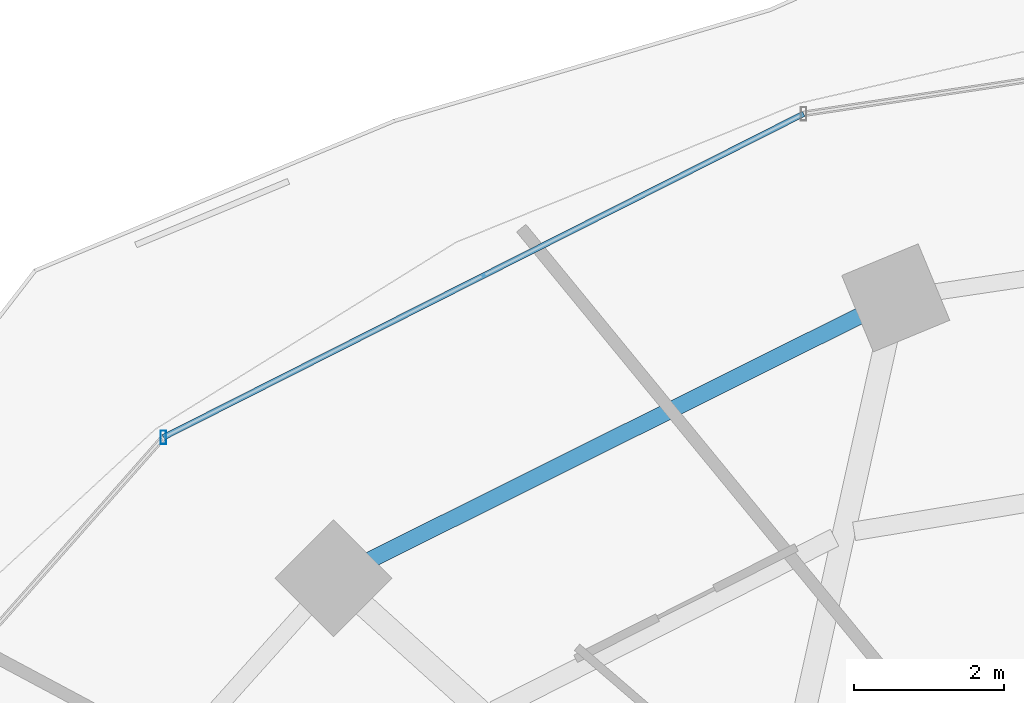
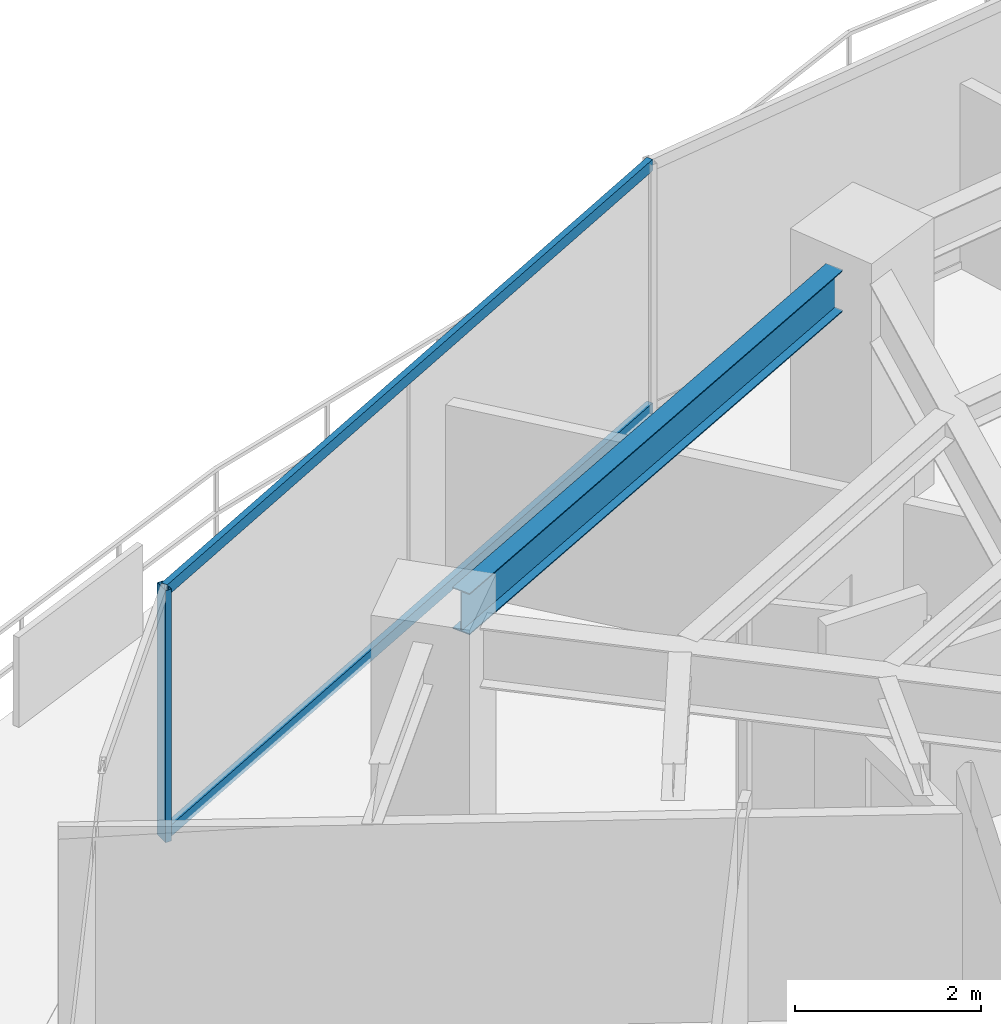
# One storey, part 16 of 29: 3 members, 1 beam, 1 element without a shape of its own.
"""IFC4 building model written with IfcOpenShell, lengths in metres."""

from ifc_helpers import new_model, si_unit, direction, frame, origin, origin_2d, place, context, subcontext, project, spatial, hollow_rectangle, i_section, extrude, material, material_profile, profile_set, type_object, element, aggregate, save


model = new_model("IFC4")

# Units and contexts
model_context = context("Model", 3, precision=1e-05, world=origin(), true_north=direction((0.0, 1.0)))
body_context = subcontext(model_context, "Body", "Model", "MODEL_VIEW")
ifc_project = project(units=[si_unit("LENGTHUNIT", "METRE"), si_unit("AREAUNIT", "SQUARE_METRE"), si_unit("VOLUMEUNIT", "CUBIC_METRE"), si_unit("PLANEANGLEUNIT", "RADIAN"), si_unit("MASSUNIT", "GRAM", prefix="KILO")], contexts=[model_context])

# Site, building, storey
site_placement = place(None, origin())
site = spatial("IfcSite", under=ifc_project, at=site_placement, CompositionType="ELEMENT")
building_placement = place(site_placement, origin())
building = spatial("IfcBuilding", under=site, at=building_placement, Name="Vorneva Point Tower", CompositionType="ELEMENT")
storey_placement = place(building_placement, frame((0.0, 0.0, 110.300048828125)))
storey = spatial("IfcBuildingStorey", under=building, at=storey_placement, Name="L29", CompositionType="ELEMENT", Elevation=110.300048828125)

# Beam
ifc_material_1 = material(Name="Steel S355", Category="steel")
ifc_material_profile_1 = material_profile(ifc_material_1, i_section(OverallWidth=0.219970703125, OverallDepth=0.54296875, WebThickness=0.009521484375, FlangeThickness=0.013427734375, at=origin_2d()), Name="55B1")
ifc_profile_set_1 = profile_set([ifc_material_profile_1], Name="Steel S355")
beam_type = type_object("IfcBeamType", Name="BM-SPN-55B1", PredefinedType="SPANDREL", material=ifc_profile_set_1)
beam_placement = place(storey_placement, frame((28.7001953125, 41.652099609375, 2.968505859375), z_axis=(-0.894915882304, -0.446234874926, 0.0), x_axis=(0.446234874926, -0.894915882304, 0.0)))
element("IfcBeam", 1, at=beam_placement, inside=storey, type_object=beam_type, Name="L29 Perimeter Spandrel Ring Beam 06", PredefinedType="SPANDREL", context=body_context, shape_type="SweptSolid", body=[
    extrude(i_section(OverallWidth=0.219970703125, OverallDepth=0.54296875, WebThickness=0.009521484375, FlangeThickness=0.013427734375, at=origin_2d()), origin(), (0.0, 0.0, 1.0), 7.285888671875),
])

# Curtain wall, members
ifc_material_2 = material(Name="Pale anodised aluminium", Category="aluminium")
curtain_wall_type = type_object("IfcCurtainWallType", Name="CW-HTL-SYS", PredefinedType="NOTDEFINED", material=ifc_material_2)
curtain_wall_placement = place(storey_placement, origin())
curtain_wall = element("IfcCurtainWall", 2, at=curtain_wall_placement, inside=storey, type_object=curtain_wall_type, Name="L29 Unitised Curtain Wall CW-L29-R02", PredefinedType="NOTDEFINED")
ifc_material_profile_2 = material_profile(ifc_material_2, hollow_rectangle(XDim=0.074951171875, YDim=0.179931640625, WallThickness=0.00390625, at=origin_2d()), Name="AL-MUL 180x75x4")
ifc_profile_set_2 = profile_set([ifc_material_profile_2], Name="Pale anodised aluminium")
member_type_1 = type_object("IfcMemberType", Name="CW-MUL-180", PredefinedType="MULLION", material=ifc_profile_set_2)
member_1_placement = place(storey_placement, frame((19.4384765625, 40.0361328125, -0.0400390625), z_axis=(0.0, 0.0, 1.0), x_axis=(1.0, 0.0, 0.0)))
member_1 = element("IfcMember", 3, at=member_1_placement, type_object=member_type_1, Name="CW-L29-R02 Mullion 05", PredefinedType="MULLION", context=body_context, shape_type="SweptSolid", body=[
    extrude(hollow_rectangle(XDim=0.074951171875, YDim=0.179931640625, WallThickness=0.00390625, at=origin_2d()), origin(), (0.0, 0.0, 1.0), 3.31005859375),
])
ifc_material_profile_3 = material_profile(ifc_material_2, hollow_rectangle(XDim=0.074951171875, YDim=0.14990234375, WallThickness=0.00390625, at=origin_2d()), Name="AL-TRN 150x75x4")
ifc_profile_set_3 = profile_set([ifc_material_profile_3], Name="Pale anodised aluminium")
member_type_2 = type_object("IfcMemberType", Name="CW-TRN-150", PredefinedType="USERDEFINED", material=ifc_profile_set_3)
member_2_placement = place(storey_placement, frame((27.95458984375, 44.339111328125, 0.02001953125), z_axis=(-0.892536035732, -0.450976080207, 0.0), x_axis=(0.450976080207, -0.892536035732, 0.0)))
member_2 = element("IfcMember", 4, at=member_2_placement, type_object=member_type_2, Name="CW-L29-R02 Transom 04.1", ObjectType="TRANSOM", PredefinedType="USERDEFINED", context=body_context, shape_type="SweptSolid", body=[
    extrude(hollow_rectangle(XDim=0.074951171875, YDim=0.14990234375, WallThickness=0.00390625, at=origin_2d()), origin(), (0.0, 0.0, 1.0), 9.54150390625),
])
member_3_placement = place(storey_placement, frame((27.95458984375, 44.339111328125, 3.219970703125), z_axis=(-0.892536035732, -0.450976080207, 0.0), x_axis=(0.450976080207, -0.892536035732, 0.0)))
member_3 = element("IfcMember", 5, at=member_3_placement, type_object=member_type_2, Name="CW-L29-R02 Transom 04.2", ObjectType="TRANSOM", PredefinedType="USERDEFINED", context=body_context, shape_type="SweptSolid", body=[
    extrude(hollow_rectangle(XDim=0.074951171875, YDim=0.14990234375, WallThickness=0.00390625, at=origin_2d()), origin(), (0.0, 0.0, 1.0), 9.54150390625),
])
aggregate(curtain_wall, [member_1, member_2, member_3])

save(model, "model.ifc")
